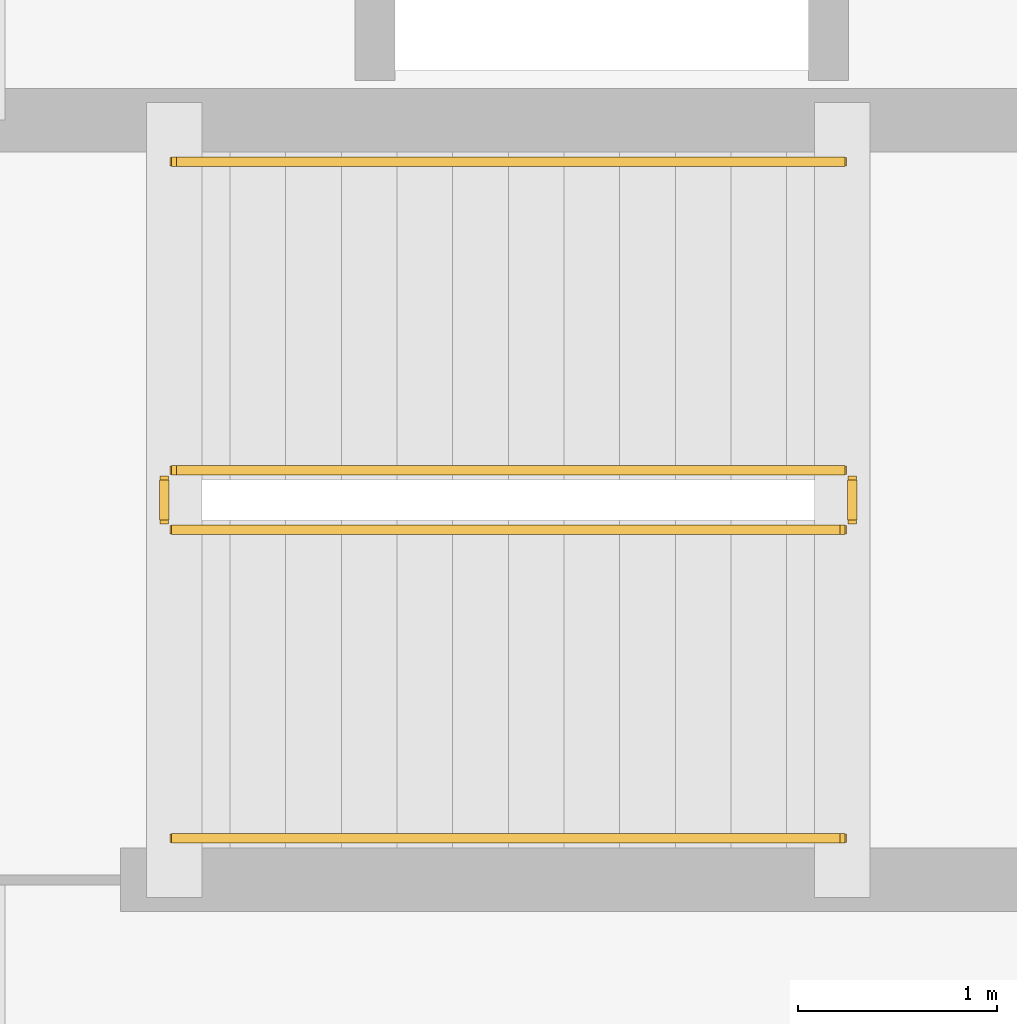
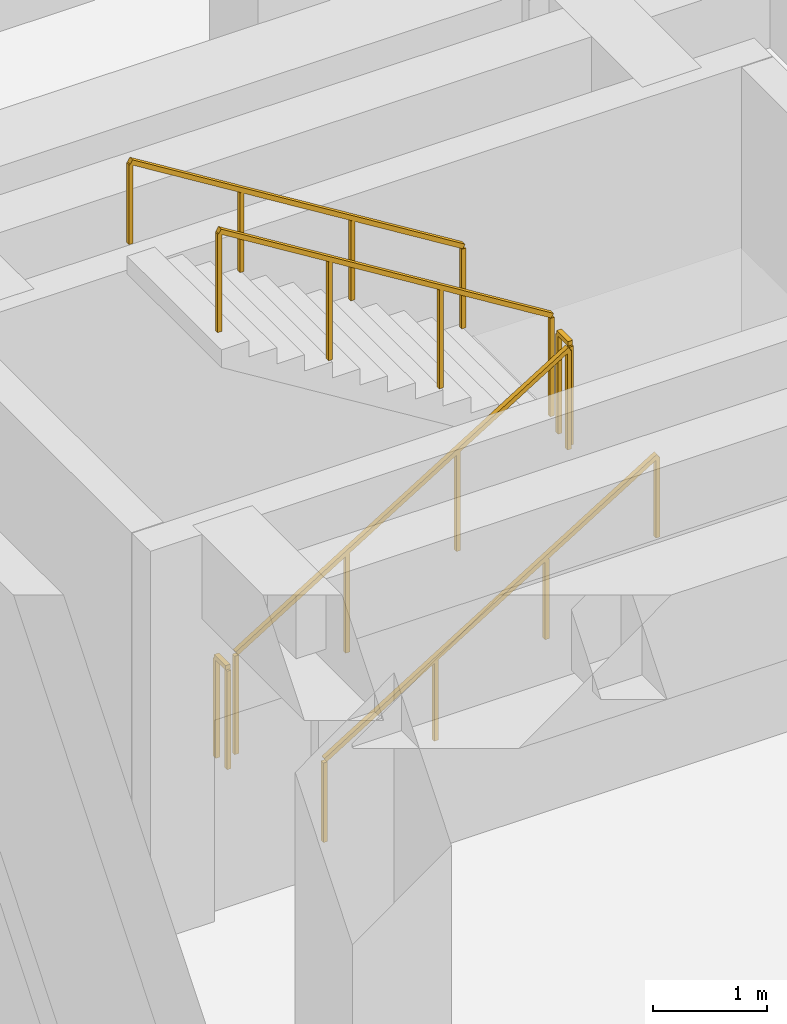
# One storey, part 13 of 13: 6 railings.
"""IFC4 building model written with IfcOpenShell, lengths in metres."""

from ifc_helpers import new_model, si_unit, direction, frame, origin, origin_2d, place, context, subcontext, project, spatial, rectangle, extrude, material, type_object, element, save


model = new_model("IFC4")

# Units and contexts
model_context = context("Model", 3, precision=1e-05, world=origin(), true_north=direction((0.0, 1.0)))
body_context = subcontext(model_context, "Body", "Model", "MODEL_VIEW")
ifc_project = project(units=[si_unit("LENGTHUNIT", "METRE"), si_unit("AREAUNIT", "SQUARE_METRE"), si_unit("VOLUMEUNIT", "CUBIC_METRE"), si_unit("PLANEANGLEUNIT", "RADIAN"), si_unit("MASSUNIT", "GRAM", prefix="KILO")], contexts=[model_context])

# Site, building, storey
site_placement = place(None, origin())
site = spatial("IfcSite", under=ifc_project, at=site_placement, CompositionType="ELEMENT")
building_placement = place(site_placement, origin())
building = spatial("IfcBuilding", under=site, at=building_placement, Name="Korentha Bioscience Tower", CompositionType="ELEMENT")
storey_placement = place(building_placement, frame((0.0, 0.0, -4.5)))
storey = spatial("IfcBuildingStorey", under=building, at=storey_placement, Name="B1", CompositionType="ELEMENT", Elevation=-4.5)

# Railings
ifc_material_1 = material(Name="Stainless Steel 304", Category="steel")
railing_type_1 = type_object("IfcRailingType", Name="Brushed Stainless Stair Handrail 900", PredefinedType="HANDRAIL", material=ifc_material_1)
railing_1_placement = place(storey_placement, frame((67.64990234375, 38.449951171875, 0.173095703125)))
element("IfcRailing", 1, at=railing_1_placement, inside=storey, type_object=railing_type_1, Name="B1 ST-T2 stair handrail 1", PredefinedType="HANDRAIL", context=body_context, shape_type="SweptSolid", body=[
    extrude(rectangle(XDim=0.048095703125, YDim=0.048095703125, at=origin_2d()), frame((0.0, 0.0, 0.8759765625), z_axis=(0.850623216509, 0.0, 0.525775754039), x_axis=(0.0, 1.0, 0.0)), (0.0, 0.0, 1.0), 3.9501953125),
    extrude(rectangle(XDim=0.0419921875, YDim=0.0419921875, at=origin_2d()), origin(), (0.0, 0.0, 1.0), 0.851806640625),
    extrude(rectangle(XDim=0.0419921875, YDim=0.0419921875, at=origin_2d()), frame((1.1201171875, 0.0, 0.6923828125)), (0.0, 0.0, 1.0), 0.851806640625),
    extrude(rectangle(XDim=0.0419921875, YDim=0.0419921875, at=origin_2d()), frame((2.239990234375, 0.0, 1.384521484375)), (0.0, 0.0, 1.0), 0.851806640625),
    extrude(rectangle(XDim=0.0419921875, YDim=0.0419921875, at=origin_2d()), frame((3.360107421875, 0.0, 2.076904296875)), (0.0, 0.0, 1.0), 0.851806640625),
])
railing_2_placement = place(storey_placement, frame((71.010009765625, 41.85009765625, 2.423095703125)))
element("IfcRailing", 2, at=railing_2_placement, inside=storey, type_object=railing_type_1, Name="B1 ST-T2 stair handrail 2", PredefinedType="HANDRAIL", context=body_context, shape_type="SweptSolid", body=[
    extrude(rectangle(XDim=0.048095703125, YDim=0.048095703125, at=origin_2d()), frame((0.0, 0.0, 0.8759765625), z_axis=(-0.850623216509, 0.0, 0.525775754039), x_axis=(0.0, -1.0, 0.0)), (0.0, 0.0, 1.0), 3.9501953125),
    extrude(rectangle(XDim=0.0419921875, YDim=0.0419921875, at=origin_2d()), origin(), (0.0, 0.0, 1.0), 0.851806640625),
    extrude(rectangle(XDim=0.0419921875, YDim=0.0419921875, at=origin_2d()), frame((-1.1201171875, 0.0, 0.6923828125)), (0.0, 0.0, 1.0), 0.851806640625),
    extrude(rectangle(XDim=0.0419921875, YDim=0.0419921875, at=origin_2d()), frame((-2.239990234375, 0.0, 1.384521484375)), (0.0, 0.0, 1.0), 0.851806640625),
    extrude(rectangle(XDim=0.0419921875, YDim=0.0419921875, at=origin_2d()), frame((-3.360107421875, 0.0, 2.076904296875)), (0.0, 0.0, 1.0), 0.851806640625),
])
ifc_material_2 = material(Name="Painted Steel S275", Category="steel")
railing_type_2 = type_object("IfcRailingType", Name="Painted Steel Stair Well Guardrail 1100", PredefinedType="GUARDRAIL", material=ifc_material_2)
railing_3_placement = place(storey_placement, frame((67.64990234375, 40.0, 0.173095703125)))
element("IfcRailing", 3, at=railing_3_placement, inside=storey, type_object=railing_type_2, Name="B1 ST-T2 stair guard 1", PredefinedType="GUARDRAIL", context=body_context, shape_type="SweptSolid", body=[
    extrude(rectangle(XDim=0.048095703125, YDim=0.048095703125, at=origin_2d()), frame((0.0, 0.0, 1.076171875), z_axis=(0.850623216509, 0.0, 0.525775754039), x_axis=(0.0, 1.0, 0.0)), (0.0, 0.0, 1.0), 3.9501953125),
    extrude(rectangle(XDim=0.0419921875, YDim=0.0419921875, at=origin_2d()), origin(), (0.0, 0.0, 1.0), 1.052001953125),
    extrude(rectangle(XDim=0.0419921875, YDim=0.0419921875, at=origin_2d()), frame((1.1201171875, 0.0, 0.6923828125)), (0.0, 0.0, 1.0), 1.052001953125),
    extrude(rectangle(XDim=0.0419921875, YDim=0.0419921875, at=origin_2d()), frame((2.239990234375, 0.0, 1.384521484375)), (0.0, 0.0, 1.0), 1.052001953125),
    extrude(rectangle(XDim=0.0419921875, YDim=0.0419921875, at=origin_2d()), frame((3.360107421875, 0.0, 2.076904296875)), (0.0, 0.0, 1.0), 1.052001953125),
])
railing_4_placement = place(storey_placement, frame((71.06005859375, 40.050048828125, 2.25)))
element("IfcRailing", 4, at=railing_4_placement, inside=storey, type_object=railing_type_2, Name="B1 ST-T2 stair guard 2", PredefinedType="GUARDRAIL", context=body_context, shape_type="SweptSolid", body=[
    extrude(rectangle(XDim=0.048095703125, YDim=0.048095703125, at=origin_2d()), frame((0.0, 0.0, 1.076171875), z_axis=(0.0, 1.0, 0.0), x_axis=(-1.0, 0.0, 0.0)), (0.0, 0.0, 1.0), 0.199951171875),
    extrude(rectangle(XDim=0.0419921875, YDim=0.0419921875, at=origin_2d()), origin(), (0.0, 0.0, 1.0), 1.052001953125),
    extrude(rectangle(XDim=0.0419921875, YDim=0.0419921875, at=origin_2d()), frame((0.0, 0.199951171875, 0.0)), (0.0, 0.0, 1.0), 1.052001953125),
])
railing_5_placement = place(storey_placement, frame((71.010009765625, 40.300048828125, 2.423095703125)))
element("IfcRailing", 5, at=railing_5_placement, inside=storey, type_object=railing_type_2, Name="B1 ST-T2 stair guard 3", PredefinedType="GUARDRAIL", context=body_context, shape_type="SweptSolid", body=[
    extrude(rectangle(XDim=0.048095703125, YDim=0.048095703125, at=origin_2d()), frame((0.0, 0.0, 1.076171875), z_axis=(-0.850623216509, 0.0, 0.525775754039), x_axis=(0.0, -1.0, 0.0)), (0.0, 0.0, 1.0), 3.9501953125),
    extrude(rectangle(XDim=0.0419921875, YDim=0.0419921875, at=origin_2d()), origin(), (0.0, 0.0, 1.0), 1.052001953125),
    extrude(rectangle(XDim=0.0419921875, YDim=0.0419921875, at=origin_2d()), frame((-1.1201171875, 0.0, 0.6923828125)), (0.0, 0.0, 1.0), 1.052001953125),
    extrude(rectangle(XDim=0.0419921875, YDim=0.0419921875, at=origin_2d()), frame((-2.239990234375, 0.0, 1.384521484375)), (0.0, 0.0, 1.0), 1.052001953125),
    extrude(rectangle(XDim=0.0419921875, YDim=0.0419921875, at=origin_2d()), frame((-3.360107421875, 0.0, 2.076904296875)), (0.0, 0.0, 1.0), 1.052001953125),
])
railing_6_placement = place(storey_placement, frame((67.60009765625, 40.050048828125, 0.0)))
element("IfcRailing", 6, at=railing_6_placement, inside=storey, type_object=railing_type_2, Name="B1 ST-T2 stair guard 4", PredefinedType="GUARDRAIL", context=body_context, shape_type="SweptSolid", body=[
    extrude(rectangle(XDim=0.048095703125, YDim=0.048095703125, at=origin_2d()), frame((0.0, 0.0, 1.076171875), z_axis=(0.0, 1.0, 0.0), x_axis=(-1.0, 0.0, 0.0)), (0.0, 0.0, 1.0), 0.199951171875),
    extrude(rectangle(XDim=0.0419921875, YDim=0.0419921875, at=origin_2d()), origin(), (0.0, 0.0, 1.0), 1.052001953125),
    extrude(rectangle(XDim=0.0419921875, YDim=0.0419921875, at=origin_2d()), frame((0.0, 0.199951171875, 0.0)), (0.0, 0.0, 1.0), 1.052001953125),
])

save(model, "model.ifc")
